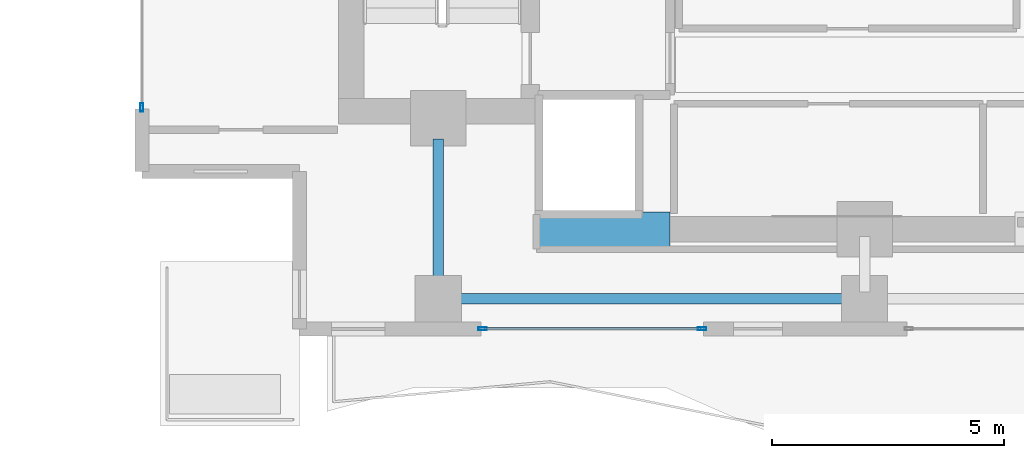
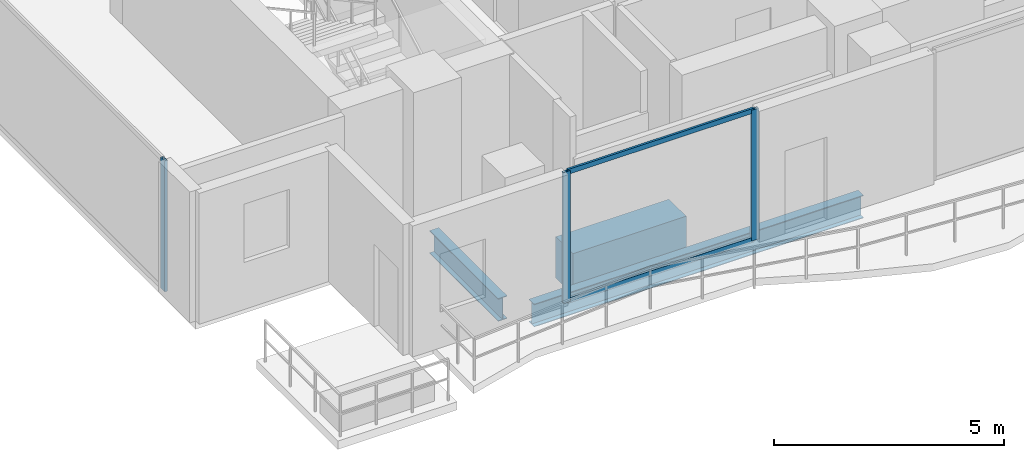
# One storey, part 2 of 26: 5 members, 3 beams, 2 elements without a shape of their own.
"""IFC4 building model written with IfcOpenShell, lengths in metres."""

from ifc_helpers import new_model, si_unit, direction, frame, origin, origin_2d, place, context, subcontext, project, spatial, rectangle, hollow_rectangle, i_section, extrude, material, layer, layer_set, material_profile, profile_set, type_object, element, aggregate, save


model = new_model("IFC4")

# Units and contexts
model_context = context("Model", 3, precision=1e-05, world=origin(), true_north=direction((0.0, 1.0)))
body_context = subcontext(model_context, "Body", "Model", "MODEL_VIEW")
ifc_project = project(units=[si_unit("LENGTHUNIT", "METRE"), si_unit("AREAUNIT", "SQUARE_METRE"), si_unit("VOLUMEUNIT", "CUBIC_METRE"), si_unit("PLANEANGLEUNIT", "RADIAN"), si_unit("MASSUNIT", "GRAM", prefix="KILO")], contexts=[model_context])

# Site, building, storey
site_placement = place(None, origin())
site = spatial("IfcSite", under=ifc_project, at=site_placement, CompositionType="ELEMENT")
building_placement = place(site_placement, origin())
building = spatial("IfcBuilding", under=site, at=building_placement, Name="Zuhayl Quay Hotel", CompositionType="ELEMENT")
storey_placement = place(building_placement, frame((0.0, 0.0, 247.050048828125)))
storey = spatial("IfcBuildingStorey", under=building, at=storey_placement, Name="L62", CompositionType="ELEMENT", Elevation=247.050048828125)

# Beams
ifc_material_1 = material(Name="Steel ASTM A992 Grade 50", Category="steel")
ifc_material_profile_1 = material_profile(ifc_material_1, i_section(OverallWidth=0.22802734375, OverallDepth=0.60693359375, WebThickness=0.01123046875, FlangeThickness=0.017333984375, at=origin_2d()), Name="W24X76")
ifc_profile_set_1 = profile_set([ifc_material_profile_1], Name="Steel ASTM A992 Grade 50")
beam_type_1 = type_object("IfcBeamType", Name="BM_B3_W24X76", PredefinedType="BEAM", material=ifc_profile_set_1)
beam_1_placement = place(storey_placement, frame((-13.340087890625, 0.64990234375, -0.5234375), z_axis=(1.0, 0.0, 0.0), x_axis=(0.0, 1.0, 0.0)))
element("IfcBeam", 1, at=beam_1_placement, inside=storey, type_object=beam_type_1, Name="L62 Floor Beam RG_L62_01", PredefinedType="BEAM", context=body_context, shape_type="SweptSolid", body=[
    extrude(i_section(OverallWidth=0.22802734375, OverallDepth=0.60693359375, WebThickness=0.01123046875, FlangeThickness=0.017333984375, at=origin_2d()), origin(), (0.0, 0.0, 1.0), 8.280029296875),
])
beam_2_placement = place(storey_placement, frame((-13.800048828125, 1.110107421875, -0.5234375), z_axis=(0.0, 1.0, 0.0), x_axis=(-1.0, 0.0, 0.0)))
element("IfcBeam", 2, at=beam_2_placement, inside=storey, type_object=beam_type_1, Name="L62 Floor Beam FG_S_L62_1", PredefinedType="BEAM", context=body_context, shape_type="SweptSolid", body=[
    extrude(i_section(OverallWidth=0.22802734375, OverallDepth=0.60693359375, WebThickness=0.01123046875, FlangeThickness=0.017333984375, at=origin_2d()), origin(), (0.0, 0.0, 1.0), 2.989990234375),
])
ifc_material_2 = material(Name="Concrete C60/75", Category="concrete")
ifc_material_profile_2 = material_profile(ifc_material_2, rectangle(XDim=0.75, YDim=1.10009765625, at=origin_2d()), Name="RC750X1100")
ifc_profile_set_2 = profile_set([ifc_material_profile_2], Name="Concrete C60/75")
beam_type_2 = type_object("IfcBeamType", Name="BM_CB2_RC750", PredefinedType="T_BEAM", material=ifc_profile_set_2)
beam_3_placement = place(storey_placement, frame((-11.64990234375, 2.14990234375, -0.77001953125), z_axis=(1.0, 0.0, 0.0), x_axis=(0.0, 1.0, 0.0)))
element("IfcBeam", 3, at=beam_3_placement, inside=storey, type_object=beam_type_2, Name="L62 Core Coupling Beam SW", PredefinedType="T_BEAM", context=body_context, shape_type="SweptSolid", body=[
    extrude(rectangle(XDim=0.75, YDim=1.10009765625, at=origin_2d()), origin(), (0.0, 0.0, 1.0), 2.849853515625),
])

# Curtain wall, member
ifc_material_3 = material(Name="Anodised Aluminium 6063-T6", Category="aluminium")
ifc_layer = layer(ifc_material_3, 0.169921875, Name="Anodised Aluminium 6063-T6", Category="aluminium")
ifc_layer_set = layer_set([ifc_layer], Name="Anodised Aluminium 6063-T6")
curtain_wall_type = type_object("IfcCurtainWallType", Name="CW_SYS_Z4", PredefinedType="USERDEFINED", material=ifc_layer_set)
curtain_wall_1_placement = place(storey_placement, origin())
curtain_wall_1 = element("IfcCurtainWall", 4, at=curtain_wall_1_placement, inside=storey, type_object=curtain_wall_type, Name="L62 Curtain Wall ENV_L62_E02_CW1", ObjectType="UNITISED CURTAIN WALL", PredefinedType="USERDEFINED")
ifc_material_4 = material(Name="Black-anodised aluminium 6063-T6", Category="aluminium")
ifc_material_profile_3 = material_profile(ifc_material_4, hollow_rectangle(XDim=0.06494140625, YDim=0.179931640625, WallThickness=0.00341796875, at=origin_2d()), Name="ALU180X65")
ifc_profile_set_3 = profile_set([ifc_material_profile_3], Name="Black-anodised aluminium 6063-T6")
member_type_1 = type_object("IfcMemberType", Name="MB_CW_MUL_180", PredefinedType="MULLION", material=ifc_profile_set_3)
member_1_placement = place(storey_placement, frame((-20.199951171875, 4.782470703125, 0.0), z_axis=(0.0, 0.0, 1.0), x_axis=(-1.0, 0.0, 0.0)))
member_1 = element("IfcMember", 5, at=member_1_placement, type_object=member_type_1, Name="CW-Z4 mullion 1", PredefinedType="MULLION", context=body_context, shape_type="SweptSolid", body=[
    extrude(hollow_rectangle(XDim=0.06494140625, YDim=0.179931640625, WallThickness=0.00341796875, at=origin_2d()), origin(), (0.0, 0.0, 1.0), 3.47998046875),
])
aggregate(curtain_wall_1, [member_1])

# Curtain wall, members
curtain_wall_2_placement = place(storey_placement, origin())
curtain_wall_2 = element("IfcCurtainWall", 6, at=curtain_wall_2_placement, inside=storey, type_object=curtain_wall_type, Name="L62 Curtain Wall ENV_L62_S_CW4", ObjectType="UNITISED CURTAIN WALL", PredefinedType="USERDEFINED")
member_2_placement = place(storey_placement, frame((-8.107421875, 0.0, 0.0), z_axis=(0.0, 0.0, 1.0), x_axis=(0.0, -1.0, 0.0)))
member_2 = element("IfcMember", 7, at=member_2_placement, type_object=member_type_1, Name="CW-Z4 mullion 1", PredefinedType="MULLION", context=body_context, shape_type="SweptSolid", body=[
    extrude(hollow_rectangle(XDim=0.06494140625, YDim=0.179931640625, WallThickness=0.00341796875, at=origin_2d()), origin(), (0.0, 0.0, 1.0), 3.47998046875),
])
member_3_placement = place(storey_placement, frame((-12.847412109375, 0.0, 0.0), z_axis=(0.0, 0.0, 1.0), x_axis=(0.0, -1.0, 0.0)))
member_3 = element("IfcMember", 8, at=member_3_placement, type_object=member_type_1, Name="CW-Z4 mullion 2", PredefinedType="MULLION", context=body_context, shape_type="SweptSolid", body=[
    extrude(hollow_rectangle(XDim=0.06494140625, YDim=0.179931640625, WallThickness=0.00341796875, at=origin_2d()), origin(), (0.0, 0.0, 1.0), 3.47998046875),
])
ifc_material_profile_4 = material_profile(ifc_material_4, hollow_rectangle(XDim=0.054931640625, YDim=0.1298828125, WallThickness=0.0029296875, at=origin_2d()), Name="ALU130X55")
ifc_profile_set_4 = profile_set([ifc_material_profile_4], Name="Black-anodised aluminium 6063-T6")
member_type_2 = type_object("IfcMemberType", Name="MB_CW_TRN_130", PredefinedType="USERDEFINED", material=ifc_profile_set_4)
member_4_placement = place(storey_placement, frame((-8.139892578125, 0.0, 0.02734375), z_axis=(-1.0, 0.0, 0.0), x_axis=(0.0, -1.0, 0.0)))
member_4 = element("IfcMember", 9, at=member_4_placement, type_object=member_type_2, Name="CW-Z4 transom 1.1", ObjectType="TRANSOM", PredefinedType="USERDEFINED", context=body_context, shape_type="SweptSolid", body=[
    extrude(hollow_rectangle(XDim=0.054931640625, YDim=0.1298828125, WallThickness=0.0029296875, at=origin_2d()), origin(), (0.0, 0.0, 1.0), 4.675048828125),
])
member_5_placement = place(storey_placement, frame((-8.139892578125, 0.0, 3.452392578125), z_axis=(-1.0, 0.0, 0.0), x_axis=(0.0, -1.0, 0.0)))
member_5 = element("IfcMember", 10, at=member_5_placement, type_object=member_type_2, Name="CW-Z4 transom 1.2", ObjectType="TRANSOM", PredefinedType="USERDEFINED", context=body_context, shape_type="SweptSolid", body=[
    extrude(hollow_rectangle(XDim=0.054931640625, YDim=0.1298828125, WallThickness=0.0029296875, at=origin_2d()), origin(), (0.0, 0.0, 1.0), 4.675048828125),
])
aggregate(curtain_wall_2, [member_2, member_3, member_4, member_5])

save(model, "model.ifc")
